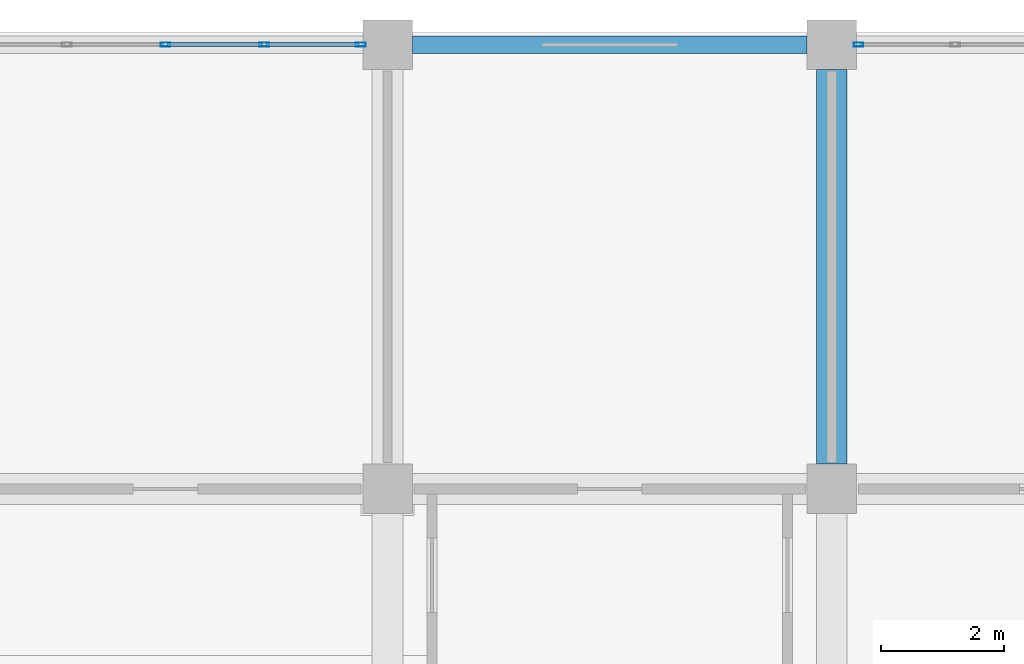
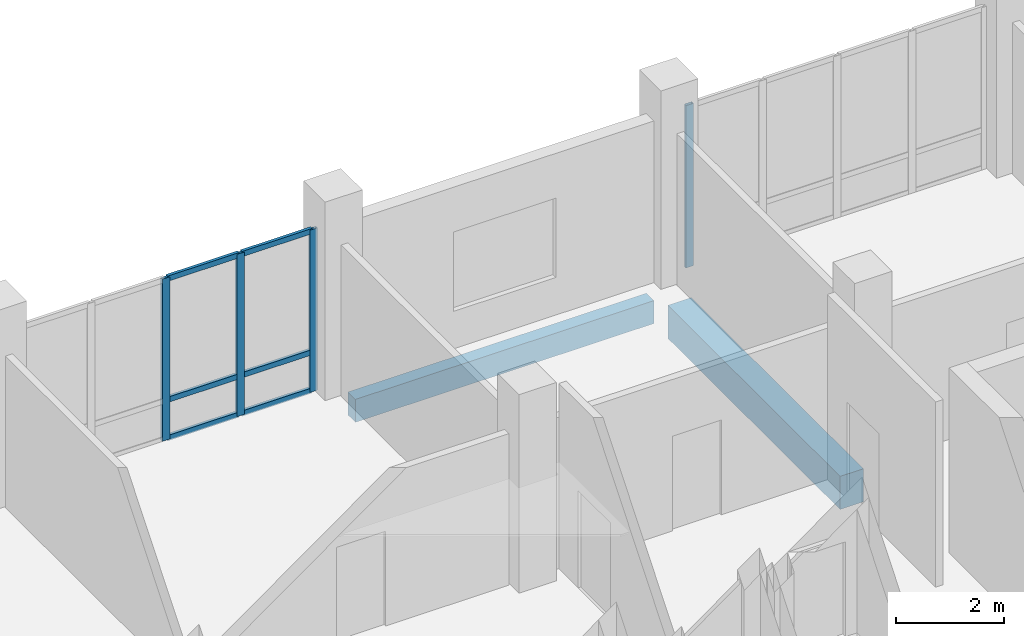
# One storey, part 56 of 139: 10 members, 2 beams, 2 elements without a shape of their own.
"""IFC4 building model written with IfcOpenShell, lengths in metres."""

from ifc_helpers import new_model, si_unit, direction, frame, origin, origin_2d, place, context, subcontext, project, spatial, rectangle, hollow_rectangle, extrude, material, material_profile, profile_set, type_object, element, aggregate, save


model = new_model("IFC4")

# Units and contexts
model_context = context("Model", 3, precision=1e-05, world=origin(), true_north=direction((0.0, 1.0)))
body_context = subcontext(model_context, "Body", "Model", "MODEL_VIEW")
ifc_project = project(units=[si_unit("LENGTHUNIT", "METRE"), si_unit("AREAUNIT", "SQUARE_METRE"), si_unit("VOLUMEUNIT", "CUBIC_METRE"), si_unit("PLANEANGLEUNIT", "RADIAN"), si_unit("MASSUNIT", "GRAM", prefix="KILO")], contexts=[model_context])

# Site, building, storey
site_placement = place(None, origin())
site = spatial("IfcSite", under=ifc_project, at=site_placement, CompositionType="ELEMENT")
building_placement = place(site_placement, origin())
building = spatial("IfcBuilding", under=site, at=building_placement, Name="Suanplinth Sawtooth Commons", CompositionType="ELEMENT")
storey_placement = place(building_placement, origin())
storey = spatial("IfcBuildingStorey", under=building, at=storey_placement, Name="L00", CompositionType="ELEMENT", Elevation=0.0)

# Beams
ifc_material_1 = material(Name="Concrete C40/50", Category="concrete")
ifc_material_profile_1 = material_profile(ifc_material_1, rectangle(XDim=0.5, YDim=0.75, at=origin_2d()), Name="RC-GDR 500x750")
ifc_profile_set_1 = profile_set([ifc_material_profile_1], Name="Concrete C40/50")
beam_type_1 = type_object("IfcBeamType", Name="B-03", PredefinedType="USERDEFINED", material=ifc_profile_set_1)
beam_1_placement = place(storey_placement, frame((57.60009765625, 115.60009765625, -0.784912109375), z_axis=(0.0, 1.0, 0.0), x_axis=(-1.0, 0.0, 0.0)))
element("IfcBeam", 1, at=beam_1_placement, inside=storey, type_object=beam_type_1, Name="BMY-L00-A-8-16", ObjectType="GIRDER", PredefinedType="USERDEFINED", context=body_context, shape_type="SweptSolid", body=[
    extrude(rectangle(XDim=0.5, YDim=0.75, at=origin_2d()), origin(), (0.0, 0.0, 1.0), 6.39990234375),
])
ifc_material_2 = material(Name="Precast concrete C40/50", Category="concrete")
ifc_material_profile_2 = material_profile(ifc_material_2, rectangle(XDim=0.280029296875, YDim=0.52001953125, at=origin_2d()), Name="PC-SP 280x520")
ifc_profile_set_2 = profile_set([ifc_material_profile_2], Name="Precast concrete C40/50")
beam_type_2 = type_object("IfcBeamType", Name="B-08", PredefinedType="SPANDREL", material=ifc_profile_set_2)
beam_2_placement = place(storey_placement, frame((50.800048828125, 122.39990234375, -0.669921875), z_axis=(1.0, 0.0, 0.0), x_axis=(0.0, 1.0, 0.0)))
element("IfcBeam", 2, at=beam_2_placement, inside=storey, type_object=beam_type_2, Name="BMX-L00-A-7-17", PredefinedType="SPANDREL", context=body_context, shape_type="SweptSolid", body=[
    extrude(rectangle(XDim=0.280029296875, YDim=0.52001953125, at=origin_2d()), origin(), (0.0, 0.0, 1.0), 6.39990234375),
])

# Curtain wall, members
ifc_material_3 = material(Name="Anodized aluminium and low-E glazing", Category="aluminium")
curtain_wall_type = type_object("IfcCurtainWallType", Name="CW-04", PredefinedType="USERDEFINED", material=ifc_material_3)
curtain_wall_1_placement = place(storey_placement, origin())
curtain_wall_1 = element("IfcCurtainWall", 3, at=curtain_wall_1_placement, inside=storey, type_object=curtain_wall_type, Name="Curtain Wall CW-L00-A-N-6", ObjectType="CURTAIN WALL", PredefinedType="USERDEFINED")
ifc_material_4 = material(Name="Anodized aluminium 6063-T6", Category="aluminium")
ifc_material_profile_3 = material_profile(ifc_material_4, hollow_rectangle(XDim=0.06494140625, YDim=0.159912109375, WallThickness=0.00390625, at=origin_2d()), Name="ALU-MUL 65x160")
ifc_profile_set_3 = profile_set([ifc_material_profile_3], Name="Anodized aluminium 6063-T6")
member_type_1 = type_object("IfcMemberType", Name="M-13", PredefinedType="MULLION", material=ifc_profile_set_3)
member_1_placement = place(storey_placement, frame((46.800048828125, 122.39990234375, 0.0), z_axis=(0.0, 0.0, 1.0), x_axis=(0.0, 1.0, 0.0)))
member_1 = element("IfcMember", 4, at=member_1_placement, type_object=member_type_1, Name="CW-04 mullion 3", PredefinedType="MULLION", context=body_context, shape_type="SweptSolid", body=[
    extrude(hollow_rectangle(XDim=0.06494140625, YDim=0.159912109375, WallThickness=0.00390625, at=origin_2d()), origin(), (0.0, 0.0, 1.0), 3.679931640625),
])
member_2_placement = place(storey_placement, frame((48.39990234375, 122.39990234375, 0.0), z_axis=(0.0, 0.0, 1.0), x_axis=(0.0, 1.0, 0.0)))
member_2 = element("IfcMember", 5, at=member_2_placement, type_object=member_type_1, Name="CW-04 mullion 4", PredefinedType="MULLION", context=body_context, shape_type="SweptSolid", body=[
    extrude(hollow_rectangle(XDim=0.06494140625, YDim=0.159912109375, WallThickness=0.00390625, at=origin_2d()), origin(), (0.0, 0.0, 1.0), 3.679931640625),
])
member_3_placement = place(storey_placement, frame((49.967529296875, 122.39990234375, 0.0), z_axis=(0.0, 0.0, 1.0), x_axis=(0.0, 1.0, 0.0)))
member_3 = element("IfcMember", 6, at=member_3_placement, type_object=member_type_1, Name="CW-04 mullion 5", PredefinedType="MULLION", context=body_context, shape_type="SweptSolid", body=[
    extrude(hollow_rectangle(XDim=0.06494140625, YDim=0.159912109375, WallThickness=0.00390625, at=origin_2d()), origin(), (0.0, 0.0, 1.0), 3.679931640625),
])

# Curtain wall, member
curtain_wall_2_placement = place(storey_placement, origin())
curtain_wall_2 = element("IfcCurtainWall", 7, at=curtain_wall_2_placement, inside=storey, type_object=curtain_wall_type, Name="Curtain Wall CW-L00-A-N-8", ObjectType="CURTAIN WALL", PredefinedType="USERDEFINED")
member_4_placement = place(storey_placement, frame((58.032470703125, 122.39990234375, 0.0), z_axis=(0.0, 0.0, 1.0), x_axis=(0.0, 1.0, 0.0)))
member_4 = element("IfcMember", 8, at=member_4_placement, type_object=member_type_1, Name="CW-04 mullion 1", PredefinedType="MULLION", context=body_context, shape_type="SweptSolid", body=[
    extrude(hollow_rectangle(XDim=0.06494140625, YDim=0.159912109375, WallThickness=0.00390625, at=origin_2d()), origin(), (0.0, 0.0, 1.0), 3.679931640625),
])
aggregate(curtain_wall_2, [member_4])

# Member
ifc_material_profile_4 = material_profile(ifc_material_4, hollow_rectangle(XDim=0.06494140625, YDim=0.1201171875, WallThickness=0.00390625, at=origin_2d()), Name="ALU-TRN 65x120")
ifc_profile_set_4 = profile_set([ifc_material_profile_4], Name="Anodized aluminium 6063-T6")
member_type_2 = type_object("IfcMemberType", Name="M-15", PredefinedType="USERDEFINED", material=ifc_profile_set_4)
member_5_placement = place(storey_placement, frame((46.83251953125, 122.39990234375, 0.032470703125), z_axis=(1.0, 0.0, 0.0), x_axis=(0.0, 1.0, 0.0)))
member_5 = element("IfcMember", 9, at=member_5_placement, type_object=member_type_2, Name="CW-04 transom 3.1", ObjectType="TRANSOM", PredefinedType="USERDEFINED", context=body_context, shape_type="SweptSolid", body=[
    extrude(hollow_rectangle(XDim=0.06494140625, YDim=0.1201171875, WallThickness=0.00390625, at=origin_2d()), origin(), (0.0, 0.0, 1.0), 1.534912109375),
])

member_6_placement = place(storey_placement, frame((46.83251953125, 122.39990234375, 0.89990234375), z_axis=(1.0, 0.0, 0.0), x_axis=(0.0, 1.0, 0.0)))
member_6 = element("IfcMember", 10, at=member_6_placement, type_object=member_type_2, Name="CW-04 transom 3.2", ObjectType="TRANSOM", PredefinedType="USERDEFINED", context=body_context, shape_type="SweptSolid", body=[
    extrude(hollow_rectangle(XDim=0.06494140625, YDim=0.1201171875, WallThickness=0.00390625, at=origin_2d()), origin(), (0.0, 0.0, 1.0), 1.534912109375),
])

member_7_placement = place(storey_placement, frame((46.83251953125, 122.39990234375, 3.6474609375), z_axis=(1.0, 0.0, 0.0), x_axis=(0.0, 1.0, 0.0)))
member_7 = element("IfcMember", 11, at=member_7_placement, type_object=member_type_2, Name="CW-04 transom 3.3", ObjectType="TRANSOM", PredefinedType="USERDEFINED", context=body_context, shape_type="SweptSolid", body=[
    extrude(hollow_rectangle(XDim=0.06494140625, YDim=0.1201171875, WallThickness=0.00390625, at=origin_2d()), origin(), (0.0, 0.0, 1.0), 1.534912109375),
])

member_8_placement = place(storey_placement, frame((48.4326171875, 122.39990234375, 0.032470703125), z_axis=(1.0, 0.0, 0.0), x_axis=(0.0, 1.0, 0.0)))
member_8 = element("IfcMember", 12, at=member_8_placement, type_object=member_type_2, Name="CW-04 transom 4.1", ObjectType="TRANSOM", PredefinedType="USERDEFINED", context=body_context, shape_type="SweptSolid", body=[
    extrude(hollow_rectangle(XDim=0.06494140625, YDim=0.1201171875, WallThickness=0.00390625, at=origin_2d()), origin(), (0.0, 0.0, 1.0), 1.50244140625),
])

member_9_placement = place(storey_placement, frame((48.4326171875, 122.39990234375, 0.89990234375), z_axis=(1.0, 0.0, 0.0), x_axis=(0.0, 1.0, 0.0)))
member_9 = element("IfcMember", 13, at=member_9_placement, type_object=member_type_2, Name="CW-04 transom 4.2", ObjectType="TRANSOM", PredefinedType="USERDEFINED", context=body_context, shape_type="SweptSolid", body=[
    extrude(hollow_rectangle(XDim=0.06494140625, YDim=0.1201171875, WallThickness=0.00390625, at=origin_2d()), origin(), (0.0, 0.0, 1.0), 1.50244140625),
])

member_10_placement = place(storey_placement, frame((48.4326171875, 122.39990234375, 3.6474609375), z_axis=(1.0, 0.0, 0.0), x_axis=(0.0, 1.0, 0.0)))
member_10 = element("IfcMember", 14, at=member_10_placement, type_object=member_type_2, Name="CW-04 transom 4.3", ObjectType="TRANSOM", PredefinedType="USERDEFINED", context=body_context, shape_type="SweptSolid", body=[
    extrude(hollow_rectangle(XDim=0.06494140625, YDim=0.1201171875, WallThickness=0.00390625, at=origin_2d()), origin(), (0.0, 0.0, 1.0), 1.50244140625),
])

aggregate(curtain_wall_1, [member_1, member_2, member_3, member_5, member_6, member_7, member_8, member_9, member_10])

save(model, "model.ifc")
